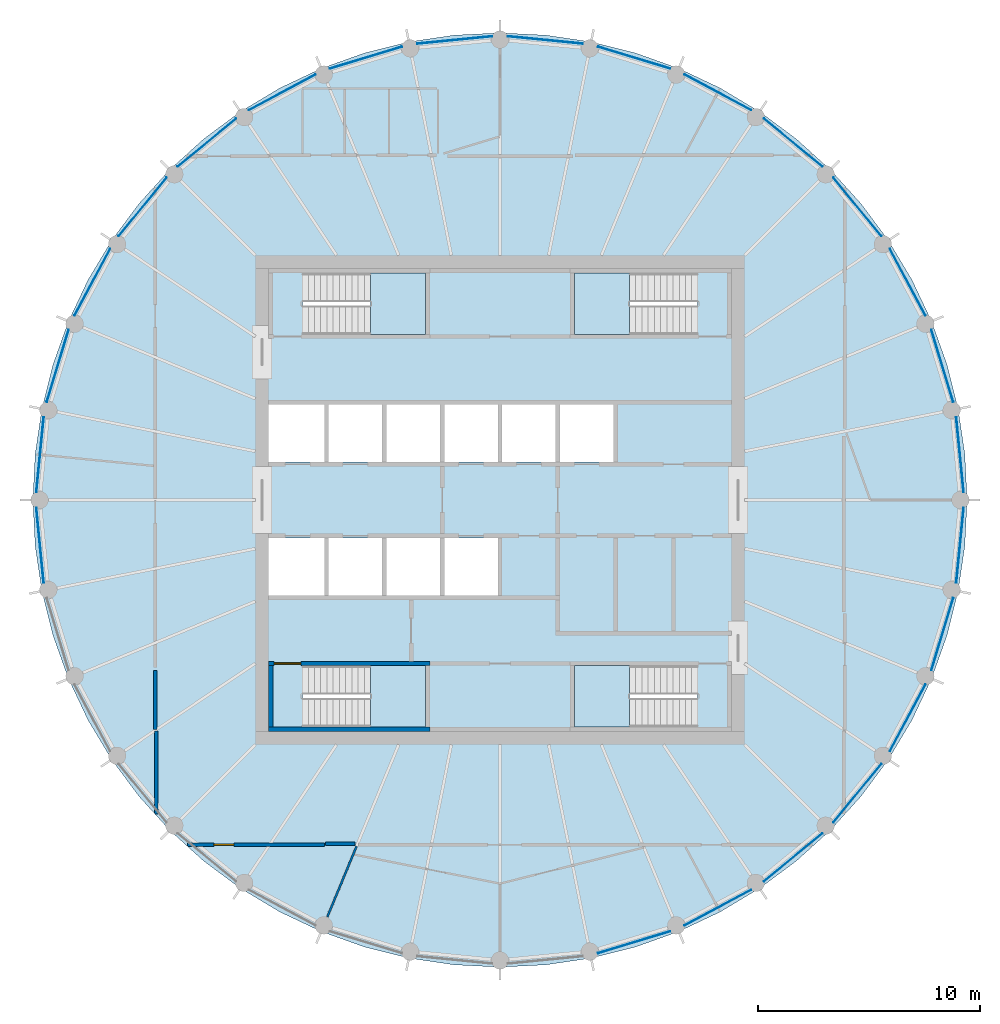
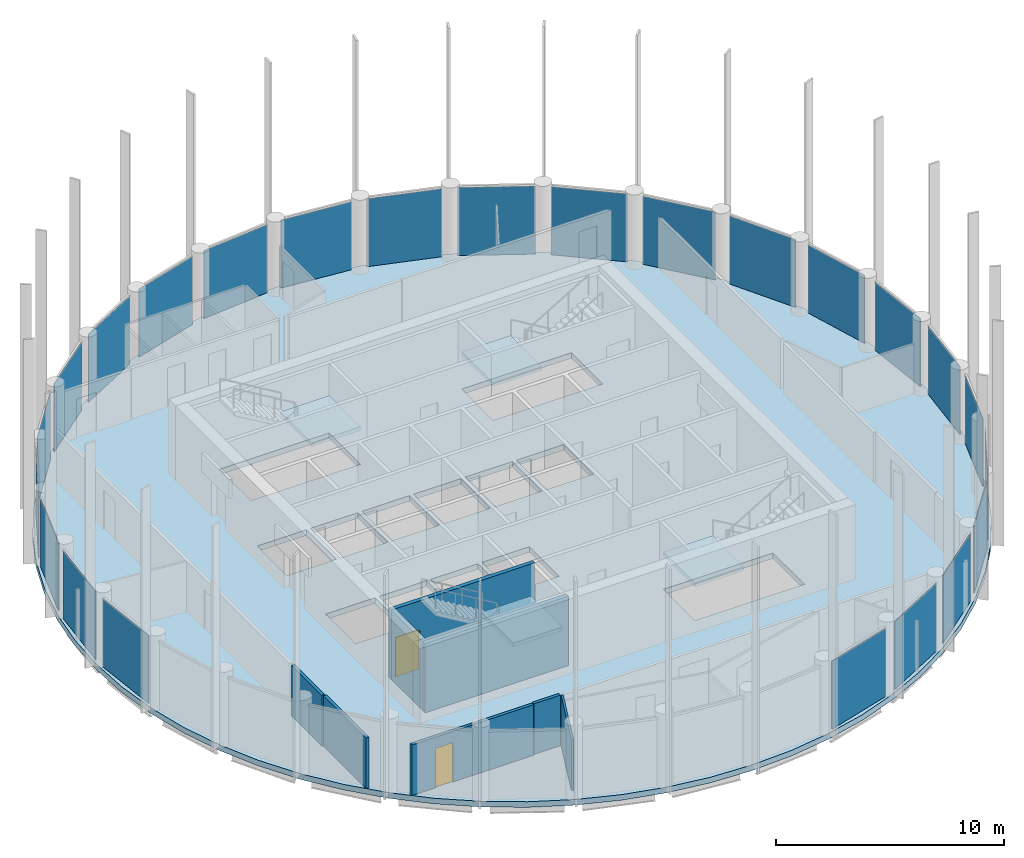
# One storey, part 3 of 7: 24 plates, 8 walls, 5 slabs, 2 doors, 2 openings, 28 elements without a shape of their own.
"""IFC4 building model written with IfcOpenShell, lengths in metres."""

from ifc_helpers import new_model, si_unit, direction, frame, frame_2d, origin, origin_2d, place, context, subcontext, project, spatial, polyline, rectangle, outline, extrude, material, layer, layer_set, type_object, element, fill, aggregate, save


model = new_model("IFC4")

# Units and contexts
model_context = context("Model", 3, precision=1e-05, world=origin(), true_north=direction((0.0, 1.0)))
body_context = subcontext(model_context, "Body", "Model", "MODEL_VIEW")
ifc_project = project(units=[si_unit("LENGTHUNIT", "METRE"), si_unit("AREAUNIT", "SQUARE_METRE"), si_unit("VOLUMEUNIT", "CUBIC_METRE"), si_unit("PLANEANGLEUNIT", "RADIAN"), si_unit("MASSUNIT", "GRAM", prefix="KILO")], contexts=[model_context])

# Site, building, storey
site_placement = place(None, origin())
site = spatial("IfcSite", under=ifc_project, at=site_placement, CompositionType="ELEMENT")
building_placement = place(site_placement, origin())
building = spatial("IfcBuilding", under=site, at=building_placement, Name="Corvane Civic Tower", CompositionType="ELEMENT")
storey_placement = place(building_placement, frame((0.0, 0.0, 368.5)))
storey = spatial("IfcBuildingStorey", under=building, at=storey_placement, Name="L88", CompositionType="ELEMENT", Elevation=368.5)

# Slab
ifc_material_1 = material(Name="Concrete C40/50", Category="concrete")
ifc_layer_1 = layer(ifc_material_1, 0.300048828125)
ifc_layer_set_1 = layer_set([ifc_layer_1], Name="Concrete C40/50")
slab_type_1 = type_object("IfcSlabType", Name="FLOOR SLAB 300", PredefinedType="FLOOR", material=ifc_layer_set_1)
slab_1_placement = place(storey_placement, frame((0.0, 0.0, -0.300048828125)))
element("IfcSlab", 1, at=slab_1_placement, inside=storey, type_object=slab_type_1, Name="SLB-L88", PredefinedType="FLOOR", context=body_context, shape_type="SweptSolid", body=[
    extrude(outline(polyline([(0.0, 21.0), (-2.058349609375, 20.89892578125), (-4.096923828125, 20.596435546875), (-6.095947265625, 20.095703125), (-8.036376953125, 19.4013671875), (-9.8994140625, 18.520263671875), (-11.6669921875, 17.4609375), (-13.322265625, 16.233154296875), (-14.84912109375, 14.84912109375), (-16.233154296875, 13.322265625), (-17.4609375, 11.6669921875), (-18.520263671875, 9.8994140625), (-19.4013671875, 8.036376953125), (-20.095703125, 6.095947265625), (-20.596435546875, 4.096923828125), (-20.89892578125, 2.058349609375), (-21.0, 0.0), (-20.89892578125, -2.058349609375), (-20.596435546875, -4.096923828125), (-20.095703125, -6.095947265625), (-19.4013671875, -8.036376953125), (-18.520263671875, -9.8994140625), (-17.4609375, -11.6669921875), (-16.233154296875, -13.322265625), (-14.84912109375, -14.84912109375), (-13.322265625, -16.233154296875), (-11.6669921875, -17.4609375), (-9.8994140625, -18.520263671875), (-8.036376953125, -19.4013671875), (-6.095947265625, -20.095703125), (-4.096923828125, -20.596435546875), (-2.058349609375, -20.89892578125), (0.0, -21.0), (2.058349609375, -20.89892578125), (4.096923828125, -20.596435546875), (6.095947265625, -20.095703125), (8.036376953125, -19.4013671875), (9.8994140625, -18.520263671875), (11.6669921875, -17.4609375), (13.322265625, -16.233154296875), (14.84912109375, -14.84912109375), (16.233154296875, -13.322265625), (17.4609375, -11.6669921875), (18.520263671875, -9.8994140625), (19.4013671875, -8.036376953125), (20.095703125, -6.095947265625), (20.596435546875, -4.096923828125), (20.89892578125, -2.058349609375), (21.0, 0.0), (20.89892578125, 2.058349609375), (20.596435546875, 4.096923828125), (20.095703125, 6.095947265625), (19.4013671875, 8.036376953125), (18.520263671875, 9.8994140625), (17.4609375, 11.6669921875), (16.233154296875, 13.322265625), (14.84912109375, 14.84912109375), (13.322265625, 16.233154296875), (11.6669921875, 17.4609375), (9.8994140625, 18.520263671875), (8.036376953125, 19.4013671875), (6.095947265625, 20.095703125), (4.096923828125, 20.596435546875), (2.058349609375, 20.89892578125), (0.0, 21.0)]), holes=[polyline([(-10.39990234375, 4.300048828125), (-7.89990234375, 4.300048828125), (-7.89990234375, 1.699951171875), (-10.39990234375, 1.699951171875), (-10.39990234375, 4.300048828125)]), polyline([(-7.699951171875, 4.300048828125), (-5.300048828125, 4.300048828125), (-5.300048828125, 1.699951171875), (-7.699951171875, 1.699951171875), (-7.699951171875, 4.300048828125)]), polyline([(-5.10009765625, 4.300048828125), (-2.699951171875, 4.300048828125), (-2.699951171875, 1.699951171875), (-5.10009765625, 1.699951171875), (-5.10009765625, 4.300048828125)]), polyline([(-2.5, 1.699951171875), (-2.5, 4.300048828125), (-0.10009765625, 4.300048828125), (-0.10009765625, 1.699951171875), (-2.5, 1.699951171875)]), polyline([(0.10009765625, 1.699951171875), (0.10009765625, 4.300048828125), (2.5, 4.300048828125), (2.5, 1.699951171875), (0.10009765625, 1.699951171875)]), polyline([(2.699951171875, 1.699951171875), (2.699951171875, 4.300048828125), (5.10009765625, 4.300048828125), (5.10009765625, 1.699951171875), (2.699951171875, 1.699951171875)]), polyline([(-10.39990234375, -1.699951171875), (-7.89990234375, -1.699951171875), (-7.89990234375, -4.300048828125), (-10.39990234375, -4.300048828125), (-10.39990234375, -1.699951171875)]), polyline([(-7.699951171875, -4.300048828125), (-7.699951171875, -1.699951171875), (-5.300048828125, -1.699951171875), (-5.300048828125, -4.300048828125), (-7.699951171875, -4.300048828125)]), polyline([(-5.10009765625, -4.300048828125), (-5.10009765625, -1.699951171875), (-2.699951171875, -1.699951171875), (-2.699951171875, -4.300048828125), (-5.10009765625, -4.300048828125)]), polyline([(-2.5, -4.300048828125), (-2.5, -1.699951171875), (-0.10009765625, -1.699951171875), (-0.10009765625, -4.300048828125), (-2.5, -4.300048828125)]), polyline([(8.889892578125, 10.199951171875), (8.889892578125, 7.449951171875), (3.35009765625, 7.449951171875), (3.35009765625, 10.199951171875), (8.889892578125, 10.199951171875)]), polyline([(-8.889892578125, 7.449951171875), (-8.889892578125, 10.199951171875), (-3.35009765625, 10.199951171875), (-3.35009765625, 7.449951171875), (-8.889892578125, 7.449951171875)]), polyline([(8.889892578125, -7.449951171875), (8.889892578125, -10.199951171875), (3.35009765625, -10.199951171875), (3.35009765625, -7.449951171875), (8.889892578125, -7.449951171875)]), polyline([(-8.889892578125, -10.199951171875), (-8.889892578125, -7.449951171875), (-3.35009765625, -7.449951171875), (-3.35009765625, -10.199951171875), (-8.889892578125, -10.199951171875)])]), origin(), (0.0, 0.0, 1.0), 0.300048828125),
])

# Stair, slab
ifc_material_2 = material(Name="Concrete C40/50", Category="concrete")
stair_type = type_object("IfcStairType", Name="ST-STAIR-HALFTURN", PredefinedType="HALF_TURN_STAIR", material=ifc_material_2)
stair_1_placement = place(storey_placement, origin())
stair_1 = element("IfcStair", 2, at=stair_1_placement, inside=storey, type_object=stair_type, Name="L88 Exit stair ST1", PredefinedType="HALF_TURN_STAIR")
ifc_material_3 = material(Name="Concrete C40/50", Category="concrete")
ifc_layer_2 = layer(ifc_material_3, 0.199951171875)
ifc_layer_set_2 = layer_set([ifc_layer_2], Name="Concrete C40/50")
slab_type_2 = type_object("IfcSlabType", Name="ST-LANDING-RC", PredefinedType="LANDING", material=ifc_layer_set_2)
slab_2_placement = place(storey_placement, frame((0.0, 0.0, 1.800048828125)))
slab_2 = element("IfcSlab", 3, at=slab_2_placement, type_object=slab_type_2, Name="ST1 landing 1", PredefinedType="LANDING", context=body_context, shape_type="SweptSolid", body=[
    extrude(outline(polyline([(5.820068359375, 10.199951171875), (3.35009765625, 10.199951171875), (3.35009765625, 7.449951171875), (5.820068359375, 7.449951171875), (5.820068359375, 10.199951171875)])), origin(), (0.0, 0.0, 1.0), 0.199951171875),
])
aggregate(stair_1, [slab_2])

stair_2_placement = place(storey_placement, origin())
stair_2 = element("IfcStair", 4, at=stair_2_placement, inside=storey, type_object=stair_type, Name="L88 Exit stair ST2", PredefinedType="HALF_TURN_STAIR")
slab_3_placement = place(storey_placement, frame((0.0, 0.0, 1.800048828125)))
slab_3 = element("IfcSlab", 5, at=slab_3_placement, type_object=slab_type_2, Name="ST2 landing 1", PredefinedType="LANDING", context=body_context, shape_type="SweptSolid", body=[
    extrude(outline(polyline([(5.820068359375, -7.449951171875), (3.35009765625, -7.449951171875), (3.35009765625, -10.199951171875), (5.820068359375, -10.199951171875), (5.820068359375, -7.449951171875)])), origin(), (0.0, 0.0, 1.0), 0.199951171875),
])
aggregate(stair_2, [slab_3])

stair_3_placement = place(storey_placement, origin())
stair_3 = element("IfcStair", 6, at=stair_3_placement, inside=storey, type_object=stair_type, Name="L88 Exit stair ST3", PredefinedType="HALF_TURN_STAIR")
slab_4_placement = place(storey_placement, frame((0.0, 0.0, 1.800048828125)))
slab_4 = element("IfcSlab", 7, at=slab_4_placement, type_object=slab_type_2, Name="ST3 landing 1", PredefinedType="LANDING", context=body_context, shape_type="SweptSolid", body=[
    extrude(outline(polyline([(-5.820068359375, -10.199951171875), (-3.35009765625, -10.199951171875), (-3.35009765625, -7.449951171875), (-5.820068359375, -7.449951171875), (-5.820068359375, -10.199951171875)])), origin(), (0.0, 0.0, 1.0), 0.199951171875),
])
aggregate(stair_3, [slab_4])

stair_4_placement = place(storey_placement, origin())
stair_4 = element("IfcStair", 8, at=stair_4_placement, inside=storey, type_object=stair_type, Name="L88 Exit stair ST4", PredefinedType="HALF_TURN_STAIR")
slab_5_placement = place(storey_placement, frame((0.0, 0.0, 1.800048828125)))
slab_5 = element("IfcSlab", 9, at=slab_5_placement, type_object=slab_type_2, Name="ST4 landing 1", PredefinedType="LANDING", context=body_context, shape_type="SweptSolid", body=[
    extrude(outline(polyline([(-5.820068359375, 7.449951171875), (-3.35009765625, 7.449951171875), (-3.35009765625, 10.199951171875), (-5.820068359375, 10.199951171875), (-5.820068359375, 7.449951171875)])), origin(), (0.0, 0.0, 1.0), 0.199951171875),
])
aggregate(stair_4, [slab_5])

# Curtain wall, plate
ifc_material_4 = material(Name="Anodised aluminium bronze", Category="aluminium")
curtain_wall_type = type_object("IfcCurtainWallType", Name="TOWER CW-T3 STICK CURTAIN WALL", PredefinedType="NOTDEFINED", material=ifc_material_4)
curtain_wall_1_placement = place(storey_placement, origin())
curtain_wall_1 = element("IfcCurtainWall", 10, at=curtain_wall_1_placement, inside=storey, type_object=curtain_wall_type, Name="Curtain wall CW-T3 L88 bay 01", PredefinedType="NOTDEFINED")
ifc_material_5 = material(Name="Tinted glass", Category="glass")
ifc_layer_3 = layer(ifc_material_5, 0.028076171875)
ifc_layer_set_3 = layer_set([ifc_layer_3], Name="Tinted glass")
plate_type = type_object("IfcPlateType", Name="TOWER CW-T3 PANEL IGU28", PredefinedType="CURTAIN_PANEL", material=ifc_layer_set_3)
plate_1_placement = place(storey_placement, frame((2.03662109375, 20.679443359375, 0.0), z_axis=(0.0, 0.0, 1.0), x_axis=(0.995186641028, -0.097997701601, 0.0)))
plate_1 = element("IfcPlate", 11, at=plate_1_placement, type_object=plate_type, Name="Glass panel CW-T3 L88 01.1", PredefinedType="CURTAIN_PANEL", context=body_context, shape_type="SweptSolid", body=[
    extrude(rectangle(XDim=3.402587890625, YDim=0.028076171875, at=origin_2d()), origin(), (0.0, 0.0, 1.0), 3.6298828125),
])
aggregate(curtain_wall_1, [plate_1])

curtain_wall_2_placement = place(storey_placement, origin())
curtain_wall_2 = element("IfcCurtainWall", 12, at=curtain_wall_2_placement, inside=storey, type_object=curtain_wall_type, Name="Curtain wall CW-T3 L88 bay 02", PredefinedType="NOTDEFINED")
plate_2_placement = place(storey_placement, frame((6.031982421875, 19.884765625, 0.0), z_axis=(0.0, 0.0, 1.0), x_axis=(0.956938582641, -0.290290456359, 0.0)))
plate_2 = element("IfcPlate", 13, at=plate_2_placement, type_object=plate_type, Name="Glass panel CW-T3 L88 02.1", PredefinedType="CURTAIN_PANEL", context=body_context, shape_type="SweptSolid", body=[
    extrude(rectangle(XDim=3.40283203125, YDim=0.028076171875, at=origin_2d()), origin(), (0.0, 0.0, 1.0), 3.6298828125),
])
aggregate(curtain_wall_2, [plate_2])

curtain_wall_3_placement = place(storey_placement, origin())
curtain_wall_3 = element("IfcCurtainWall", 14, at=curtain_wall_3_placement, inside=storey, type_object=curtain_wall_type, Name="Curtain wall CW-T3 L88 bay 03", PredefinedType="NOTDEFINED")
plate_3_placement = place(storey_placement, frame((9.79541015625, 18.325927734375, 0.0), z_axis=(0.0, 0.0, 1.0), x_axis=(0.88192824848, -0.471383670202, 0.0)))
plate_3 = element("IfcPlate", 15, at=plate_3_placement, type_object=plate_type, Name="Glass panel CW-T3 L88 03.1", PredefinedType="CURTAIN_PANEL", context=body_context, shape_type="SweptSolid", body=[
    extrude(rectangle(XDim=3.40234375, YDim=0.028076171875, at=origin_2d()), origin(), (0.0, 0.0, 1.0), 3.6298828125),
])
aggregate(curtain_wall_3, [plate_3])

curtain_wall_4_placement = place(storey_placement, origin())
curtain_wall_4 = element("IfcCurtainWall", 16, at=curtain_wall_4_placement, inside=storey, type_object=curtain_wall_type, Name="Curtain wall CW-T3 L88 bay 04", PredefinedType="NOTDEFINED")
plate_4_placement = place(storey_placement, frame((13.182373046875, 16.062744140625, 0.0), z_axis=(0.0, 0.0, 1.0), x_axis=(0.773010369391, -0.634393386484, 0.0)))
plate_4 = element("IfcPlate", 17, at=plate_4_placement, type_object=plate_type, Name="Glass panel CW-T3 L88 04.1", PredefinedType="CURTAIN_PANEL", context=body_context, shape_type="SweptSolid", body=[
    extrude(rectangle(XDim=3.402587890625, YDim=0.028076171875, at=origin_2d()), origin(), (0.0, 0.0, 1.0), 3.6298828125),
])
aggregate(curtain_wall_4, [plate_4])

curtain_wall_5_placement = place(storey_placement, origin())
curtain_wall_5 = element("IfcCurtainWall", 18, at=curtain_wall_5_placement, inside=storey, type_object=curtain_wall_type, Name="Curtain wall CW-T3 L88 bay 05", PredefinedType="NOTDEFINED")
plate_5_placement = place(storey_placement, frame((16.062744140625, 13.182373046875, 0.0), z_axis=(0.0, 0.0, 1.0), x_axis=(0.634393386484, -0.773010369391, 0.0)))
plate_5 = element("IfcPlate", 19, at=plate_5_placement, type_object=plate_type, Name="Glass panel CW-T3 L88 05.1", PredefinedType="CURTAIN_PANEL", context=body_context, shape_type="SweptSolid", body=[
    extrude(rectangle(XDim=3.402587890625, YDim=0.028076171875, at=origin_2d()), origin(), (0.0, 0.0, 1.0), 3.6298828125),
])
aggregate(curtain_wall_5, [plate_5])

curtain_wall_6_placement = place(storey_placement, origin())
curtain_wall_6 = element("IfcCurtainWall", 20, at=curtain_wall_6_placement, inside=storey, type_object=curtain_wall_type, Name="Curtain wall CW-T3 L88 bay 06", PredefinedType="NOTDEFINED")
plate_6_placement = place(storey_placement, frame((18.325927734375, 9.79541015625, 0.0), z_axis=(0.0, 0.0, 1.0), x_axis=(0.471383670202, -0.88192824848, 0.0)))
plate_6 = element("IfcPlate", 21, at=plate_6_placement, type_object=plate_type, Name="Glass panel CW-T3 L88 06.1", PredefinedType="CURTAIN_PANEL", context=body_context, shape_type="SweptSolid", body=[
    extrude(rectangle(XDim=3.40234375, YDim=0.028076171875, at=origin_2d()), origin(), (0.0, 0.0, 1.0), 3.6298828125),
])
aggregate(curtain_wall_6, [plate_6])

curtain_wall_7_placement = place(storey_placement, origin())
curtain_wall_7 = element("IfcCurtainWall", 22, at=curtain_wall_7_placement, inside=storey, type_object=curtain_wall_type, Name="Curtain wall CW-T3 L88 bay 07", PredefinedType="NOTDEFINED")
plate_7_placement = place(storey_placement, frame((19.884765625, 6.031982421875, 0.0), z_axis=(0.0, 0.0, 1.0), x_axis=(0.290290456359, -0.956938582641, 0.0)))
plate_7 = element("IfcPlate", 23, at=plate_7_placement, type_object=plate_type, Name="Glass panel CW-T3 L88 07.1", PredefinedType="CURTAIN_PANEL", context=body_context, shape_type="SweptSolid", body=[
    extrude(rectangle(XDim=3.40283203125, YDim=0.028076171875, at=origin_2d()), origin(), (0.0, 0.0, 1.0), 3.6298828125),
])
aggregate(curtain_wall_7, [plate_7])

curtain_wall_8_placement = place(storey_placement, origin())
curtain_wall_8 = element("IfcCurtainWall", 24, at=curtain_wall_8_placement, inside=storey, type_object=curtain_wall_type, Name="Curtain wall CW-T3 L88 bay 08", PredefinedType="NOTDEFINED")
plate_8_placement = place(storey_placement, frame((20.679443359375, 2.03662109375, 0.0), z_axis=(0.0, 0.0, 1.0), x_axis=(0.097997701601, -0.995186641028, 0.0)))
plate_8 = element("IfcPlate", 25, at=plate_8_placement, type_object=plate_type, Name="Glass panel CW-T3 L88 08.1", PredefinedType="CURTAIN_PANEL", context=body_context, shape_type="SweptSolid", body=[
    extrude(rectangle(XDim=3.402587890625, YDim=0.028076171875, at=origin_2d()), origin(), (0.0, 0.0, 1.0), 3.6298828125),
])
aggregate(curtain_wall_8, [plate_8])

curtain_wall_9_placement = place(storey_placement, origin())
curtain_wall_9 = element("IfcCurtainWall", 26, at=curtain_wall_9_placement, inside=storey, type_object=curtain_wall_type, Name="Curtain wall CW-T3 L88 bay 09", PredefinedType="NOTDEFINED")
plate_9_placement = place(storey_placement, frame((20.679443359375, -2.03662109375, 0.0), z_axis=(0.0, 0.0, 1.0), x_axis=(-0.097997701601, -0.995186641028, 0.0)))
plate_9 = element("IfcPlate", 27, at=plate_9_placement, type_object=plate_type, Name="Glass panel CW-T3 L88 09.1", PredefinedType="CURTAIN_PANEL", context=body_context, shape_type="SweptSolid", body=[
    extrude(rectangle(XDim=3.402587890625, YDim=0.028076171875, at=origin_2d()), origin(), (0.0, 0.0, 1.0), 3.6298828125),
])
aggregate(curtain_wall_9, [plate_9])

curtain_wall_10_placement = place(storey_placement, origin())
curtain_wall_10 = element("IfcCurtainWall", 28, at=curtain_wall_10_placement, inside=storey, type_object=curtain_wall_type, Name="Curtain wall CW-T3 L88 bay 10", PredefinedType="NOTDEFINED")
plate_10_placement = place(storey_placement, frame((19.884765625, -6.031982421875, 0.0), z_axis=(0.0, 0.0, 1.0), x_axis=(-0.290290456359, -0.956938582641, 0.0)))
plate_10 = element("IfcPlate", 29, at=plate_10_placement, type_object=plate_type, Name="Glass panel CW-T3 L88 10.1", PredefinedType="CURTAIN_PANEL", context=body_context, shape_type="SweptSolid", body=[
    extrude(rectangle(XDim=3.40283203125, YDim=0.028076171875, at=origin_2d()), origin(), (0.0, 0.0, 1.0), 3.6298828125),
])
aggregate(curtain_wall_10, [plate_10])

curtain_wall_11_placement = place(storey_placement, origin())
curtain_wall_11 = element("IfcCurtainWall", 30, at=curtain_wall_11_placement, inside=storey, type_object=curtain_wall_type, Name="Curtain wall CW-T3 L88 bay 11", PredefinedType="NOTDEFINED")
plate_11_placement = place(storey_placement, frame((18.325927734375, -9.79541015625, 0.0), z_axis=(0.0, 0.0, 1.0), x_axis=(-0.471383670202, -0.88192824848, 0.0)))
plate_11 = element("IfcPlate", 31, at=plate_11_placement, type_object=plate_type, Name="Glass panel CW-T3 L88 11.1", PredefinedType="CURTAIN_PANEL", context=body_context, shape_type="SweptSolid", body=[
    extrude(rectangle(XDim=3.40234375, YDim=0.028076171875, at=origin_2d()), origin(), (0.0, 0.0, 1.0), 3.6298828125),
])
aggregate(curtain_wall_11, [plate_11])

curtain_wall_12_placement = place(storey_placement, origin())
curtain_wall_12 = element("IfcCurtainWall", 32, at=curtain_wall_12_placement, inside=storey, type_object=curtain_wall_type, Name="Curtain wall CW-T3 L88 bay 12", PredefinedType="NOTDEFINED")
plate_12_placement = place(storey_placement, frame((16.062744140625, -13.182373046875, 0.0), z_axis=(0.0, 0.0, 1.0), x_axis=(-0.634393386484, -0.773010369391, 0.0)))
plate_12 = element("IfcPlate", 33, at=plate_12_placement, type_object=plate_type, Name="Glass panel CW-T3 L88 12.1", PredefinedType="CURTAIN_PANEL", context=body_context, shape_type="SweptSolid", body=[
    extrude(rectangle(XDim=3.402587890625, YDim=0.028076171875, at=origin_2d()), origin(), (0.0, 0.0, 1.0), 3.6298828125),
])
aggregate(curtain_wall_12, [plate_12])

curtain_wall_13_placement = place(storey_placement, origin())
curtain_wall_13 = element("IfcCurtainWall", 34, at=curtain_wall_13_placement, inside=storey, type_object=curtain_wall_type, Name="Curtain wall CW-T3 L88 bay 13", PredefinedType="NOTDEFINED")
plate_13_placement = place(storey_placement, frame((13.182373046875, -16.062744140625, 0.0), z_axis=(0.0, 0.0, 1.0), x_axis=(-0.773010369391, -0.634393386484, 0.0)))
plate_13 = element("IfcPlate", 35, at=plate_13_placement, type_object=plate_type, Name="Glass panel CW-T3 L88 13.1", PredefinedType="CURTAIN_PANEL", context=body_context, shape_type="SweptSolid", body=[
    extrude(rectangle(XDim=3.402587890625, YDim=0.028076171875, at=origin_2d()), origin(), (0.0, 0.0, 1.0), 3.6298828125),
])
aggregate(curtain_wall_13, [plate_13])

curtain_wall_14_placement = place(storey_placement, origin())
curtain_wall_14 = element("IfcCurtainWall", 36, at=curtain_wall_14_placement, inside=storey, type_object=curtain_wall_type, Name="Curtain wall CW-T3 L88 bay 14", PredefinedType="NOTDEFINED")
plate_14_placement = place(storey_placement, frame((9.79541015625, -18.325927734375, 0.0), z_axis=(0.0, 0.0, 1.0), x_axis=(-0.88192824848, -0.471383670202, 0.0)))
plate_14 = element("IfcPlate", 37, at=plate_14_placement, type_object=plate_type, Name="Glass panel CW-T3 L88 14.1", PredefinedType="CURTAIN_PANEL", context=body_context, shape_type="SweptSolid", body=[
    extrude(rectangle(XDim=3.40234375, YDim=0.028076171875, at=origin_2d()), origin(), (0.0, 0.0, 1.0), 3.6298828125),
])
aggregate(curtain_wall_14, [plate_14])

curtain_wall_15_placement = place(storey_placement, origin())
curtain_wall_15 = element("IfcCurtainWall", 38, at=curtain_wall_15_placement, inside=storey, type_object=curtain_wall_type, Name="Curtain wall CW-T3 L88 bay 15", PredefinedType="NOTDEFINED")
plate_15_placement = place(storey_placement, frame((6.031982421875, -19.884765625, 0.0), z_axis=(0.0, 0.0, 1.0), x_axis=(-0.956938582641, -0.290290456359, 0.0)))
plate_15 = element("IfcPlate", 39, at=plate_15_placement, type_object=plate_type, Name="Glass panel CW-T3 L88 15.1", PredefinedType="CURTAIN_PANEL", context=body_context, shape_type="SweptSolid", body=[
    extrude(rectangle(XDim=3.40283203125, YDim=0.028076171875, at=origin_2d()), origin(), (0.0, 0.0, 1.0), 3.6298828125),
])
aggregate(curtain_wall_15, [plate_15])

curtain_wall_16_placement = place(storey_placement, origin())
curtain_wall_16 = element("IfcCurtainWall", 40, at=curtain_wall_16_placement, inside=storey, type_object=curtain_wall_type, Name="Curtain wall CW-T3 L88 bay 24", PredefinedType="NOTDEFINED")
plate_16_placement = place(storey_placement, frame((-20.679443359375, -2.03662109375, 0.0), z_axis=(0.0, 0.0, 1.0), x_axis=(-0.097997701601, 0.995186641028, 0.0)))
plate_16 = element("IfcPlate", 41, at=plate_16_placement, type_object=plate_type, Name="Glass panel CW-T3 L88 24.1", PredefinedType="CURTAIN_PANEL", context=body_context, shape_type="SweptSolid", body=[
    extrude(rectangle(XDim=3.402587890625, YDim=0.028076171875, at=origin_2d()), origin(), (0.0, 0.0, 1.0), 3.6298828125),
])
aggregate(curtain_wall_16, [plate_16])

curtain_wall_17_placement = place(storey_placement, origin())
curtain_wall_17 = element("IfcCurtainWall", 42, at=curtain_wall_17_placement, inside=storey, type_object=curtain_wall_type, Name="Curtain wall CW-T3 L88 bay 25", PredefinedType="NOTDEFINED")
plate_17_placement = place(storey_placement, frame((-20.679443359375, 2.03662109375, 0.0), z_axis=(0.0, 0.0, 1.0), x_axis=(0.097997701601, 0.995186641028, 0.0)))
plate_17 = element("IfcPlate", 43, at=plate_17_placement, type_object=plate_type, Name="Glass panel CW-T3 L88 25.1", PredefinedType="CURTAIN_PANEL", context=body_context, shape_type="SweptSolid", body=[
    extrude(rectangle(XDim=3.402587890625, YDim=0.028076171875, at=origin_2d()), origin(), (0.0, 0.0, 1.0), 3.6298828125),
])
aggregate(curtain_wall_17, [plate_17])

curtain_wall_18_placement = place(storey_placement, origin())
curtain_wall_18 = element("IfcCurtainWall", 44, at=curtain_wall_18_placement, inside=storey, type_object=curtain_wall_type, Name="Curtain wall CW-T3 L88 bay 26", PredefinedType="NOTDEFINED")
plate_18_placement = place(storey_placement, frame((-19.884765625, 6.031982421875, 0.0), z_axis=(0.0, 0.0, 1.0), x_axis=(0.290290456359, 0.956938582641, 0.0)))
plate_18 = element("IfcPlate", 45, at=plate_18_placement, type_object=plate_type, Name="Glass panel CW-T3 L88 26.1", PredefinedType="CURTAIN_PANEL", context=body_context, shape_type="SweptSolid", body=[
    extrude(rectangle(XDim=3.40283203125, YDim=0.028076171875, at=origin_2d()), origin(), (0.0, 0.0, 1.0), 3.6298828125),
])
aggregate(curtain_wall_18, [plate_18])

curtain_wall_19_placement = place(storey_placement, origin())
curtain_wall_19 = element("IfcCurtainWall", 46, at=curtain_wall_19_placement, inside=storey, type_object=curtain_wall_type, Name="Curtain wall CW-T3 L88 bay 27", PredefinedType="NOTDEFINED")
plate_19_placement = place(storey_placement, frame((-18.325927734375, 9.79541015625, 0.0), z_axis=(0.0, 0.0, 1.0), x_axis=(0.471383670202, 0.88192824848, 0.0)))
plate_19 = element("IfcPlate", 47, at=plate_19_placement, type_object=plate_type, Name="Glass panel CW-T3 L88 27.1", PredefinedType="CURTAIN_PANEL", context=body_context, shape_type="SweptSolid", body=[
    extrude(rectangle(XDim=3.40234375, YDim=0.028076171875, at=origin_2d()), origin(), (0.0, 0.0, 1.0), 3.6298828125),
])
aggregate(curtain_wall_19, [plate_19])

curtain_wall_20_placement = place(storey_placement, origin())
curtain_wall_20 = element("IfcCurtainWall", 48, at=curtain_wall_20_placement, inside=storey, type_object=curtain_wall_type, Name="Curtain wall CW-T3 L88 bay 28", PredefinedType="NOTDEFINED")
plate_20_placement = place(storey_placement, frame((-16.062744140625, 13.182373046875, 0.0), z_axis=(0.0, 0.0, 1.0), x_axis=(0.634393386484, 0.773010369391, 0.0)))
plate_20 = element("IfcPlate", 49, at=plate_20_placement, type_object=plate_type, Name="Glass panel CW-T3 L88 28.1", PredefinedType="CURTAIN_PANEL", context=body_context, shape_type="SweptSolid", body=[
    extrude(rectangle(XDim=3.402587890625, YDim=0.028076171875, at=origin_2d()), origin(), (0.0, 0.0, 1.0), 3.6298828125),
])
aggregate(curtain_wall_20, [plate_20])

curtain_wall_21_placement = place(storey_placement, origin())
curtain_wall_21 = element("IfcCurtainWall", 50, at=curtain_wall_21_placement, inside=storey, type_object=curtain_wall_type, Name="Curtain wall CW-T3 L88 bay 29", PredefinedType="NOTDEFINED")
plate_21_placement = place(storey_placement, frame((-13.182373046875, 16.062744140625, 0.0), z_axis=(0.0, 0.0, 1.0), x_axis=(0.773010369391, 0.634393386484, 0.0)))
plate_21 = element("IfcPlate", 51, at=plate_21_placement, type_object=plate_type, Name="Glass panel CW-T3 L88 29.1", PredefinedType="CURTAIN_PANEL", context=body_context, shape_type="SweptSolid", body=[
    extrude(rectangle(XDim=3.402587890625, YDim=0.028076171875, at=origin_2d()), origin(), (0.0, 0.0, 1.0), 3.6298828125),
])
aggregate(curtain_wall_21, [plate_21])

curtain_wall_22_placement = place(storey_placement, origin())
curtain_wall_22 = element("IfcCurtainWall", 52, at=curtain_wall_22_placement, inside=storey, type_object=curtain_wall_type, Name="Curtain wall CW-T3 L88 bay 30", PredefinedType="NOTDEFINED")
plate_22_placement = place(storey_placement, frame((-9.79541015625, 18.325927734375, 0.0), z_axis=(0.0, 0.0, 1.0), x_axis=(0.88192824848, 0.471383670202, 0.0)))
plate_22 = element("IfcPlate", 53, at=plate_22_placement, type_object=plate_type, Name="Glass panel CW-T3 L88 30.1", PredefinedType="CURTAIN_PANEL", context=body_context, shape_type="SweptSolid", body=[
    extrude(rectangle(XDim=3.40234375, YDim=0.028076171875, at=origin_2d()), origin(), (0.0, 0.0, 1.0), 3.6298828125),
])
aggregate(curtain_wall_22, [plate_22])

curtain_wall_23_placement = place(storey_placement, origin())
curtain_wall_23 = element("IfcCurtainWall", 54, at=curtain_wall_23_placement, inside=storey, type_object=curtain_wall_type, Name="Curtain wall CW-T3 L88 bay 31", PredefinedType="NOTDEFINED")
plate_23_placement = place(storey_placement, frame((-6.031982421875, 19.884765625, 0.0), z_axis=(0.0, 0.0, 1.0), x_axis=(0.956938582641, 0.290290456359, 0.0)))
plate_23 = element("IfcPlate", 55, at=plate_23_placement, type_object=plate_type, Name="Glass panel CW-T3 L88 31.1", PredefinedType="CURTAIN_PANEL", context=body_context, shape_type="SweptSolid", body=[
    extrude(rectangle(XDim=3.40283203125, YDim=0.028076171875, at=origin_2d()), origin(), (0.0, 0.0, 1.0), 3.6298828125),
])
aggregate(curtain_wall_23, [plate_23])

curtain_wall_24_placement = place(storey_placement, origin())
curtain_wall_24 = element("IfcCurtainWall", 56, at=curtain_wall_24_placement, inside=storey, type_object=curtain_wall_type, Name="Curtain wall CW-T3 L88 bay 32", PredefinedType="NOTDEFINED")
plate_24_placement = place(storey_placement, frame((-2.03662109375, 20.679443359375, 0.0), z_axis=(0.0, 0.0, 1.0), x_axis=(0.995186641028, 0.097997701601, 0.0)))
plate_24 = element("IfcPlate", 57, at=plate_24_placement, type_object=plate_type, Name="Glass panel CW-T3 L88 32.1", PredefinedType="CURTAIN_PANEL", context=body_context, shape_type="SweptSolid", body=[
    extrude(rectangle(XDim=3.402587890625, YDim=0.028076171875, at=origin_2d()), origin(), (0.0, 0.0, 1.0), 3.6298828125),
])
aggregate(curtain_wall_24, [plate_24])

# Wall
ifc_material_6 = material(Name="Plasterboard")
ifc_layer_4 = layer(ifc_material_6, 0.10009765625)
ifc_layer_set_4 = layer_set([ifc_layer_4], Name="Plasterboard")
wall_type_1 = type_object("IfcWallType", Name="Partition 100 plasterboard on studs", PredefinedType="PARTITIONING", material=ifc_layer_set_4)
wall_1_placement = place(storey_placement, frame((-7.7646484375, -18.74560546875, 0.0), z_axis=(0.0, 0.0, 1.0), x_axis=(0.382663269981, 0.923887883786, 0.0)))
element("IfcWall", 58, at=wall_1_placement, inside=storey, type_object=wall_type_1, Name="Partition L88.002", PredefinedType="PARTITIONING", context=body_context, shape_type="SweptSolid", body=[
    extrude(rectangle(XDim=3.438232421875, YDim=0.10009765625, at=frame_2d((1.71923828125, 0.0))), origin(), (0.0, 0.0, 1.0), 2.699951171875),
])

# Wall, opening, door
ifc_material_7 = material(Name="Concrete C50/60", Category="concrete")
ifc_layer_5 = layer(ifc_material_7, 0.199951171875)
ifc_layer_set_5 = layer_set([ifc_layer_5], Name="Concrete C50/60")
wall_type_2 = type_object("IfcWallType", Name="ST-WALL-200", PredefinedType="SHEAR", material=ifc_layer_set_5)
wall_2_placement = place(storey_placement, frame((-10.39990234375, -7.35009765625, 0.0), z_axis=(0.0, 0.0, 1.0), x_axis=(1.0, 0.0, 0.0)))
wall_2 = element("IfcWall", 59, at=wall_2_placement, inside=storey, type_object=wall_type_2, Name="L88 stair enclosure wall", PredefinedType="SHEAR", context=body_context, shape_type="SweptSolid", body=[
    extrude(rectangle(XDim=7.25, YDim=0.199951171875, at=frame_2d((3.625, 0.0))), origin(), (0.0, 0.0, 1.0), 3.699951171875),
])
opening_1_placement = place(wall_2_placement, frame((0.25, 0.0, 0.0)))
opening_1 = element("IfcOpeningElement", 60, at=opening_1_placement, cuts=wall_2, Name="Opening L88.C11", PredefinedType="OPENING", context=body_context, shape_type="SweptSolid", body=[
    extrude(rectangle(XDim=1.199951171875, YDim=2.10009765625, at=frame_2d((0.60009765625, 1.050048828125))), frame((0.0, 0.10986328125, 0.0), z_axis=(0.0, -1.0, 0.0), x_axis=(1.0, 0.0, 0.0)), (0.0, 0.0, 1.0), 0.219970703125),
])
ifc_material_8 = material(Name="Steel fire door leaf", Category="steel")
door_type_1 = type_object("IfcDoorType", Name="ST-DOOR-1200", OperationType="SINGLE_SWING_RIGHT", PredefinedType="DOOR", material=ifc_material_8)
door_1_placement = place(opening_1_placement, origin())
door_1 = element("IfcDoor", 61, at=door_1_placement, inside=storey, type_object=door_type_1, Name="L88 stair door", OperationType="SINGLE_SWING_RIGHT", OverallHeight=2.10009765625, OverallWidth=1.199951171875, PredefinedType="DOOR", context=body_context, shape_type="SweptSolid", body=[
    extrude(rectangle(XDim=1.199951171875, YDim=2.10009765625, at=frame_2d((0.60009765625, 1.050048828125))), frame((0.0, 0.02490234375, 0.0), z_axis=(0.0, -1.0, 0.0), x_axis=(1.0, 0.0, 0.0)), (0.0, 0.0, 1.0), 0.050048828125),
])
fill(opening_1, door_1)

# Walls
wall_3_placement = place(storey_placement, origin())
element("IfcWall", 62, at=wall_3_placement, inside=storey, type_object=wall_type_2, Name="L88 stair enclosure wall", PredefinedType="SHEAR", context=body_context, shape_type="SweptSolid", body=[
    extrude(outline(polyline([(-3.14990234375, -10.199951171875), (-3.14990234375, -10.39990234375), (-10.39990234375, -10.39990234375), (-10.39990234375, -10.199951171875), (-3.14990234375, -10.199951171875)])), origin(), (0.0, 0.0, 1.0), 3.699951171875),
])
wall_4_placement = place(storey_placement, origin())
element("IfcWall", 63, at=wall_4_placement, inside=storey, type_object=wall_type_2, Name="L88 stair enclosure wall", PredefinedType="SHEAR", context=body_context, shape_type="SweptSolid", body=[
    extrude(outline(polyline([(-10.199951171875, -7.449951171875), (-10.199951171875, -10.199951171875), (-10.39990234375, -10.199951171875), (-10.39990234375, -7.449951171875), (-10.199951171875, -7.449951171875)])), origin(), (0.0, 0.0, 1.0), 3.699951171875),
])

# Wall, opening, door
ifc_material_9 = material(Name="Plasterboard")
ifc_layer_6 = layer(ifc_material_9, 0.14990234375)
ifc_layer_set_6 = layer_set([ifc_layer_6], Name="Plasterboard")
wall_type_3 = type_object("IfcWallType", Name="Tenancy wall 150 EI 60", PredefinedType="PARTITIONING", material=ifc_layer_set_6)
wall_5_placement = place(storey_placement, frame((-14.05712890625, -15.5, 0.0), z_axis=(0.0, 0.0, 1.0), x_axis=(1.0, 0.0, 0.0)))
wall_5 = element("IfcWall", 64, at=wall_5_placement, inside=storey, type_object=wall_type_3, Name="Partition L88.006", PredefinedType="PARTITIONING", context=body_context, shape_type="SweptSolid", body=[
    extrude(rectangle(XDim=6.15625, YDim=0.14990234375, at=frame_2d((3.078125, 0.0))), origin(), (0.0, 0.0, 1.0), 2.699951171875),
])
opening_2_placement = place(wall_5_placement, frame((1.194580078125, 0.0, 0.0)))
opening_2 = element("IfcOpeningElement", 65, at=opening_2_placement, cuts=wall_5, Name="Opening L88.001", PredefinedType="OPENING", context=body_context, shape_type="SweptSolid", body=[
    extrude(rectangle(XDim=0.89990234375, YDim=2.10009765625, at=frame_2d((0.449951171875, 1.050048828125))), frame((0.0, 0.0849609375, 0.0), z_axis=(0.0, -1.0, 0.0), x_axis=(1.0, 0.0, 0.0)), (0.0, 0.0, 1.0), 0.169921875),
])
ifc_material_10 = material(Name="Steel and timber", Category="steel")
door_type_2 = type_object("IfcDoorType", Name="Fire door FD30S 900", OperationType="NOTDEFINED", PredefinedType="DOOR", material=ifc_material_10)
door_2_placement = place(opening_2_placement, frame((0.89990234375, 0.0, 0.0), z_axis=(0.0, 0.0, 1.0), x_axis=(-1.0, 0.0, 0.0)))
door_2 = element("IfcDoor", 66, at=door_2_placement, inside=storey, type_object=door_type_2, Name="Door L88.001", OperationType="SINGLE_SWING_RIGHT", OverallHeight=2.10009765625, OverallWidth=0.89990234375, PredefinedType="DOOR", context=body_context, shape_type="SweptSolid", body=[
    extrude(rectangle(XDim=0.89990234375, YDim=2.10009765625, at=frame_2d((0.449951171875, 1.050048828125))), frame((0.0, 0.02490234375, 0.0), z_axis=(0.0, -1.0, 0.0), x_axis=(1.0, 0.0, 0.0)), (0.0, 0.0, 1.0), 0.050048828125),
])
fill(opening_2, door_2)

# Walls
wall_6_placement = place(storey_placement, frame((-7.850830078125, -15.449951171875, 0.0), z_axis=(0.0, 0.0, 1.0), x_axis=(1.0, 0.0, 0.0)))
element("IfcWall", 67, at=wall_6_placement, inside=storey, type_object=wall_type_3, Name="Partition L88.009", PredefinedType="PARTITIONING", context=body_context, shape_type="SweptSolid", body=[
    extrude(rectangle(XDim=1.339111328125, YDim=0.14990234375, at=frame_2d((0.66943359375, 0.0))), origin(), (0.0, 0.0, 1.0), 2.699951171875),
])
wall_7_placement = place(storey_placement, frame((-15.449951171875, -14.1123046875, 0.0), z_axis=(0.0, 0.0, 1.0), x_axis=(0.0, 1.0, 0.0)))
element("IfcWall", 68, at=wall_7_placement, inside=storey, type_object=wall_type_3, Name="Partition L88.010", PredefinedType="PARTITIONING", context=body_context, shape_type="SweptSolid", body=[
    extrude(rectangle(XDim=3.7314453125, YDim=0.14990234375, at=frame_2d((1.86572265625, 0.0))), origin(), (0.0, 0.0, 1.0), 2.699951171875),
])
wall_8_placement = place(storey_placement, frame((-15.5, -10.322509765625, 0.0), z_axis=(0.0, 0.0, 1.0), x_axis=(0.0, 1.0, 0.0)))
element("IfcWall", 69, at=wall_8_placement, inside=storey, type_object=wall_type_3, Name="Partition L88.013", PredefinedType="PARTITIONING", context=body_context, shape_type="SweptSolid", body=[
    extrude(rectangle(XDim=2.6591796875, YDim=0.14990234375, at=frame_2d((1.32958984375, 0.0))), origin(), (0.0, 0.0, 1.0), 2.699951171875),
])

save(model, "model.ifc")
